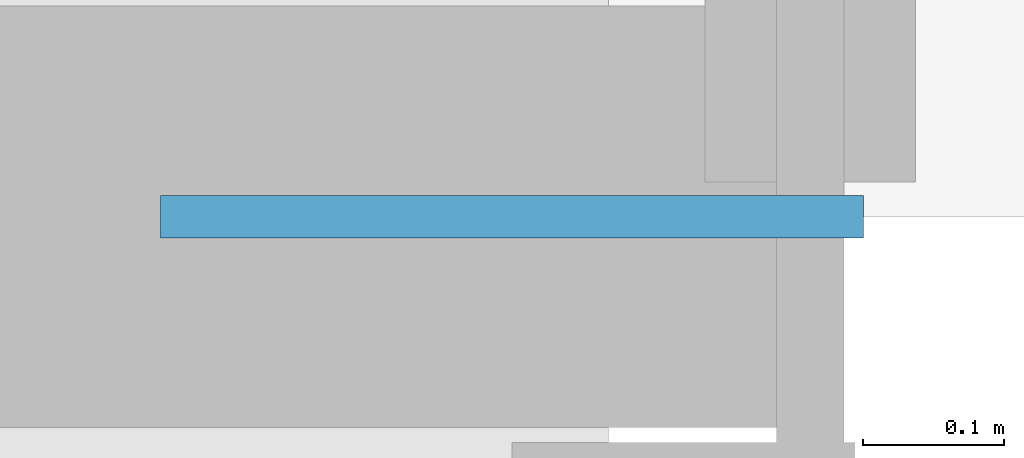
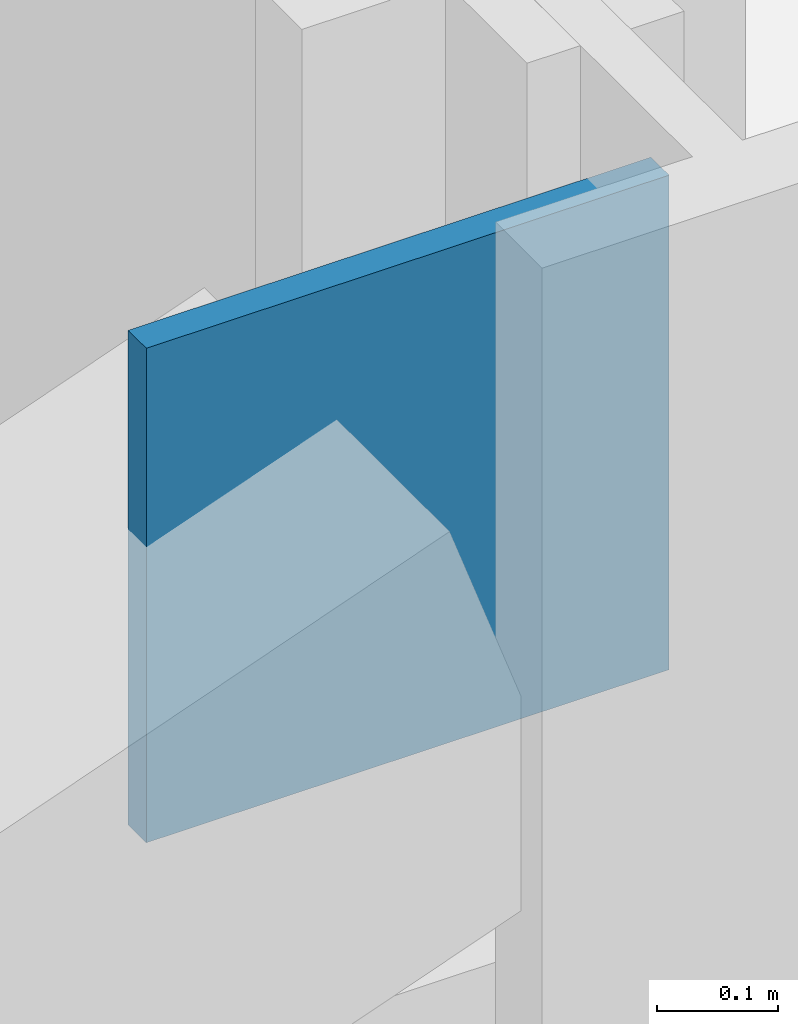
# One storey, part 20 of 29: 1 discrete accessory.
"""IFC4 building model written with IfcOpenShell, lengths in metres."""

from ifc_helpers import new_model, si_unit, direction, frame, origin, origin_2d, place, context, subcontext, project, spatial, rectangle, extrude, material, layer, layer_set, type_object, element, save


model = new_model("IFC4")

# Units and contexts
model_context = context("Model", 3, precision=1e-05, world=origin(), true_north=direction((0.0, 1.0)))
body_context = subcontext(model_context, "Body", "Model", "MODEL_VIEW")
ifc_project = project(units=[si_unit("LENGTHUNIT", "METRE"), si_unit("AREAUNIT", "SQUARE_METRE"), si_unit("VOLUMEUNIT", "CUBIC_METRE"), si_unit("PLANEANGLEUNIT", "RADIAN"), si_unit("MASSUNIT", "GRAM", prefix="KILO")], contexts=[model_context])

# Site, building, storey
site_placement = place(None, origin())
site = spatial("IfcSite", under=ifc_project, at=site_placement, CompositionType="ELEMENT")
building_placement = place(site_placement, origin())
building = spatial("IfcBuilding", under=site, at=building_placement, Name="Mahtab Terrace Research Tower", CompositionType="ELEMENT")
storey_placement = place(building_placement, frame((0.0, 0.0, 67.5)))
storey = spatial("IfcBuildingStorey", under=building, at=storey_placement, Name="L15", CompositionType="ELEMENT", Elevation=67.5)

# Discrete accessory
ifc_material = material(Name="Steel ASTM A992 Gr 50", Category="steel")
ifc_layer = layer(ifc_material, 0.030029296875)
ifc_layer_set = layer_set([ifc_layer], Name="Gusset plate 500x500x30")
discrete_accessory_type = type_object("IfcDiscreteAccessoryType", Name="Gusset plate 500x500x30", PredefinedType="USERDEFINED", material=ifc_layer_set)
discrete_accessory_placement = place(storey_placement, frame((17.787841796875, -23.0, 3.33154296875), z_axis=(0.0, 0.0, 1.0), x_axis=(1.0, 0.0, 0.0)))
element("IfcDiscreteAccessory", 1, at=discrete_accessory_placement, inside=storey, type_object=discrete_accessory_type, Name="Gusset plate", ObjectType="GUSSET PLATE", PredefinedType="USERDEFINED", context=body_context, shape_type="SweptSolid", body=[
    extrude(rectangle(XDim=0.5, YDim=0.030029296875, at=origin_2d()), origin(), (0.0, 0.0, 1.0), 0.5),
])

save(model, "model.ifc")
